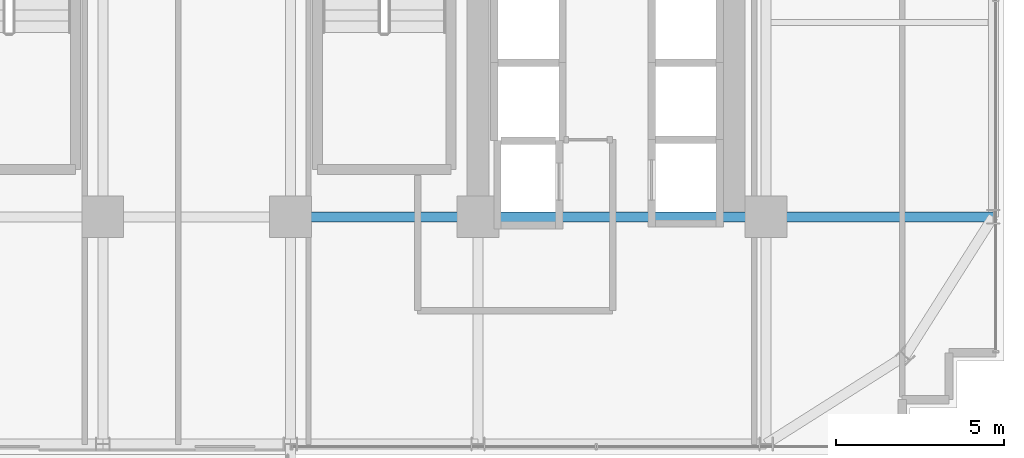
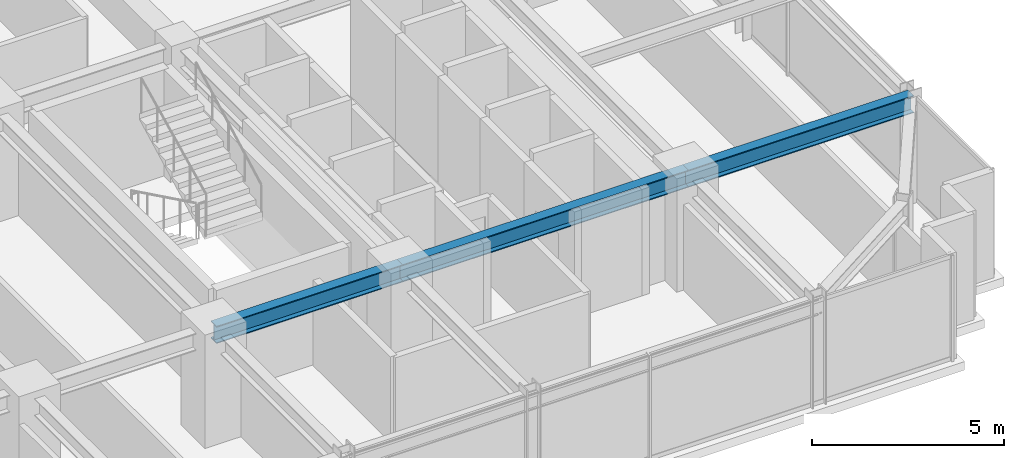
# One storey, part 11 of 31: 3 beams.
"""IFC4 building model written with IfcOpenShell, lengths in metres."""

from ifc_helpers import new_model, si_unit, direction, frame, origin, origin_2d, place, context, subcontext, project, spatial, i_section, extrude, source, transform, mapped, material, material_profile, profile_set, type_object, element, save


model = new_model("IFC4")

# Units and contexts
model_context = context("Model", 3, precision=1e-05, world=origin(), true_north=direction((0.0, 1.0)))
body_context = subcontext(model_context, "Body", "Model", "MODEL_VIEW")
ifc_project = project(units=[si_unit("LENGTHUNIT", "METRE"), si_unit("AREAUNIT", "SQUARE_METRE"), si_unit("VOLUMEUNIT", "CUBIC_METRE"), si_unit("PLANEANGLEUNIT", "RADIAN"), si_unit("MASSUNIT", "GRAM", prefix="KILO")], contexts=[model_context])

# Site, building, storey
site_placement = place(None, origin())
site = spatial("IfcSite", under=ifc_project, at=site_placement, CompositionType="ELEMENT")
building_placement = place(site_placement, origin())
building = spatial("IfcBuilding", under=site, at=building_placement, Name="Nahalor Promenade Grand Hotel", CompositionType="ELEMENT")
storey_placement = place(building_placement, frame((0.0, 0.0, 95.60009765625)))
storey = spatial("IfcBuildingStorey", under=building, at=storey_placement, Name="L23", CompositionType="ELEMENT", Elevation=95.60009765625)

# Beams
ifc_material = material(Name="Steel S355JR", Category="steel")
ifc_material_profile = material_profile(ifc_material, i_section(OverallWidth=0.3, OverallDepth=0.55, WebThickness=0.015, FlangeThickness=0.029, at=origin_2d()), Name="HEB 550")
ifc_profile_set = profile_set([ifc_material_profile], Name="Steel S355JR")
beam_type = type_object("IfcBeamType", Name="Beam-Girder-HEB550", PredefinedType="BEAM", material=ifc_profile_set)
shared_shape_1 = source(origin(), body_context, "Body", "SweptSolid", [
    extrude(i_section(OverallWidth=0.3, OverallDepth=0.55, WebThickness=0.015, FlangeThickness=0.029, at=origin_2d()), origin(), (0.0, 0.0, 1.0), 6.780029296875),
])
beam_1_placement = place(storey_placement, frame((17.0, -17.0, 3.10498046875), z_axis=(1.0, 0.0, 0.0), x_axis=(0.0, 1.0, 0.0)))
element("IfcBeam", 1, at=beam_1_placement, inside=storey, type_object=beam_type, Name="BM-L23-GX-0-6", PredefinedType="BEAM", context=body_context, shape_type="MappedRepresentation", body=[
    mapped(shared_shape_1, transform((0.0, 0.0, 0.0), scale=1.0)),
])
shared_shape_2 = source(origin(), body_context, "Body", "SweptSolid", [
    extrude(i_section(OverallWidth=0.3, OverallDepth=0.55, WebThickness=0.015, FlangeThickness=0.029, at=origin_2d()), origin(), (0.0, 0.0, 1.0), 8.60009765625),
])
beam_2_placement = place(storey_placement, frame((8.39990234375, -17.0, 3.10498046875), z_axis=(1.0, 0.0, 0.0), x_axis=(0.0, 1.0, 0.0)))
element("IfcBeam", 2, at=beam_2_placement, inside=storey, type_object=beam_type, Name="BM-L23-GX-0-5", PredefinedType="BEAM", context=body_context, shape_type="MappedRepresentation", body=[
    mapped(shared_shape_2, transform((0.0, 0.0, 0.0), scale=1.0)),
])
shared_shape_3 = source(origin(), body_context, "Body", "SweptSolid", [
    extrude(i_section(OverallWidth=0.3, OverallDepth=0.55, WebThickness=0.015, FlangeThickness=0.029, at=origin_2d()), origin(), (0.0, 0.0, 1.0), 5.599853515625),
])
beam_3_placement = place(storey_placement, frame((2.800048828125, -17.0, 3.10498046875), z_axis=(1.0, 0.0, 0.0), x_axis=(0.0, 1.0, 0.0)))
element("IfcBeam", 3, at=beam_3_placement, inside=storey, type_object=beam_type, Name="BM-L23-GX-0-4", PredefinedType="BEAM", context=body_context, shape_type="MappedRepresentation", body=[
    mapped(shared_shape_3, transform((0.0, 0.0, 0.0), scale=1.0)),
])

save(model, "model.ifc")
